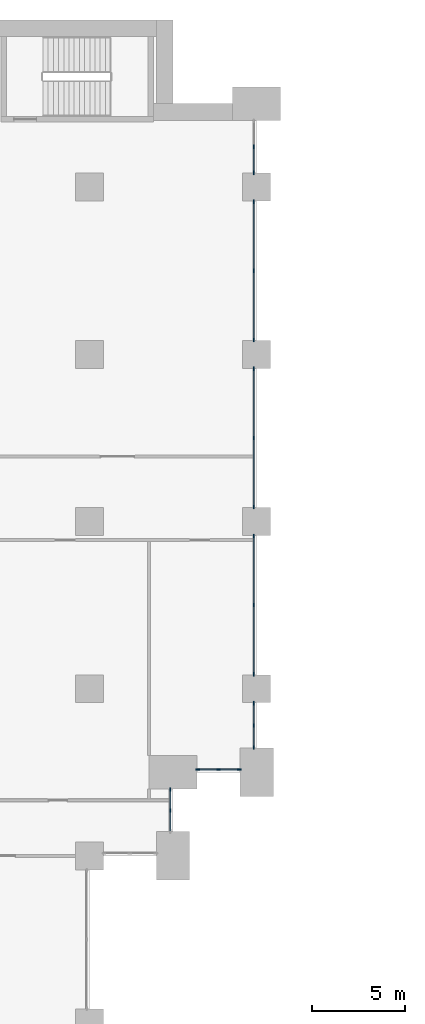
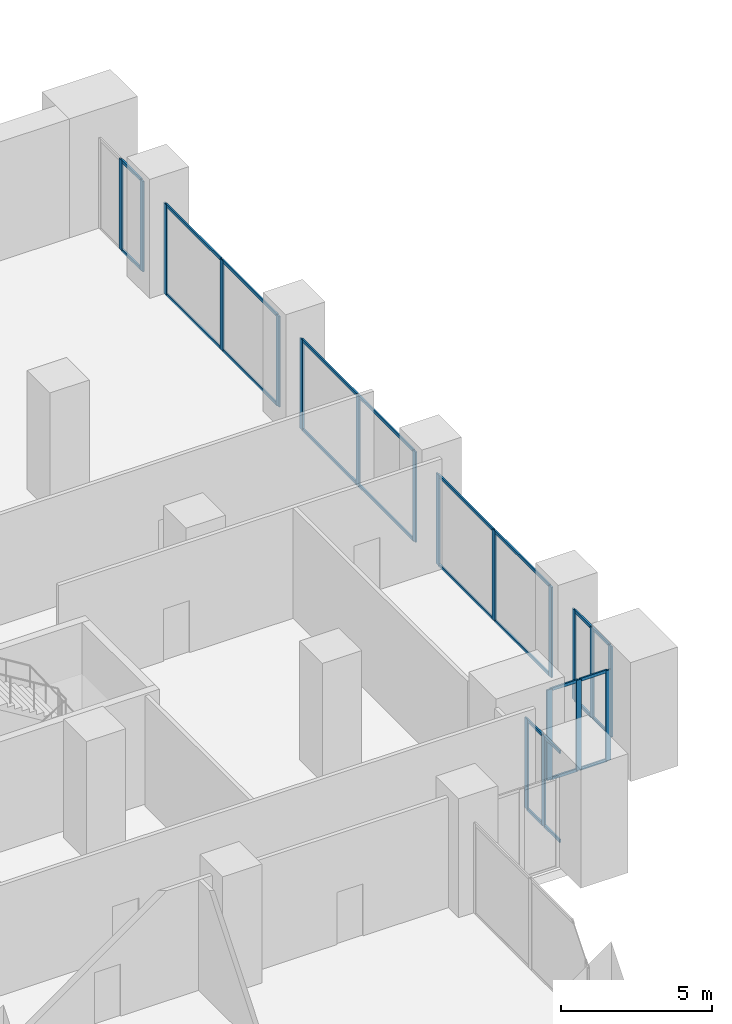
# One storey, part 5 of 49: 45 members, 7 elements without a shape of their own.
"""IFC4 building model written with IfcOpenShell, lengths in metres."""

from ifc_helpers import new_model, si_unit, direction, frame, origin, origin_2d, place, context, subcontext, project, spatial, rectangle, extrude, material, material_profile, profile_set, type_object, element, aggregate, save


model = new_model("IFC4")

# Units and contexts
model_context = context("Model", 3, precision=1e-05, world=origin(), true_north=direction((0.0, 1.0)))
body_context = subcontext(model_context, "Body", "Model", "MODEL_VIEW")
ifc_project = project(units=[si_unit("LENGTHUNIT", "METRE"), si_unit("AREAUNIT", "SQUARE_METRE"), si_unit("VOLUMEUNIT", "CUBIC_METRE"), si_unit("PLANEANGLEUNIT", "RADIAN"), si_unit("MASSUNIT", "GRAM", prefix="KILO")], contexts=[model_context])

# Site, building, storey
site_placement = place(None, origin())
site = spatial("IfcSite", under=ifc_project, at=site_placement, CompositionType="ELEMENT")
building_placement = place(site_placement, origin())
building = spatial("IfcBuilding", under=site, at=building_placement, Name="Hunhe Ridgeline Campus", CompositionType="ELEMENT")
storey_placement = place(building_placement, frame((0.0, 0.0, 21.60009765625)))
storey = spatial("IfcBuildingStorey", under=building, at=storey_placement, Name="L04", CompositionType="ELEMENT", Elevation=21.60009765625)

# Curtain wall, members
ifc_material_1 = material(Name="Aluminium and glass", Category="aluminium")
curtain_wall_type = type_object("IfcCurtainWallType", Name="Podium curtain wall CW-2", PredefinedType="NOTDEFINED", material=ifc_material_1)
curtain_wall_1_placement = place(storey_placement, origin())
curtain_wall_1 = element("IfcCurtainWall", 1, at=curtain_wall_1_placement, inside=storey, type_object=curtain_wall_type, Name="L04 podium curtain wall 2", PredefinedType="NOTDEFINED")
ifc_material_2 = material(Name="Aluminium", Category="aluminium")
ifc_material_profile_1 = material_profile(ifc_material_2, rectangle(XDim=0.06005859375, YDim=0.199951171875, at=origin_2d()))
ifc_profile_set_1 = profile_set([ifc_material_profile_1], Name="Aluminium")
member_type_1 = type_object("IfcMemberType", Name="CW-2 mullion 60x200", PredefinedType="MULLION", material=ifc_profile_set_1)
member_1_placement = place(storey_placement, frame((94.35009765625, 56.449951171875, 0.0), z_axis=(0.0, 0.0, 1.0), x_axis=(-1.0, 0.0, 0.0)))
member_1 = element("IfcMember", 2, at=member_1_placement, type_object=member_type_1, Name="CW2 mullion 2", PredefinedType="MULLION", context=body_context, shape_type="SweptSolid", body=[
    extrude(rectangle(XDim=0.06005859375, YDim=0.199951171875, at=origin_2d()), origin(), (0.0, 0.0, 1.0), 3.64990234375),
])
member_2_placement = place(storey_placement, frame((94.35009765625, 57.570068359375, 0.0), z_axis=(0.0, 0.0, 1.0), x_axis=(-1.0, 0.0, 0.0)))
member_2 = element("IfcMember", 3, at=member_2_placement, type_object=member_type_1, Name="CW2 mullion 3", PredefinedType="MULLION", context=body_context, shape_type="SweptSolid", body=[
    extrude(rectangle(XDim=0.06005859375, YDim=0.199951171875, at=origin_2d()), origin(), (0.0, 0.0, 1.0), 3.64990234375),
])

curtain_wall_2_placement = place(storey_placement, origin())
curtain_wall_2 = element("IfcCurtainWall", 4, at=curtain_wall_2_placement, inside=storey, type_object=curtain_wall_type, Name="L04 podium curtain wall 3", PredefinedType="NOTDEFINED")
member_3_placement = place(storey_placement, frame((95.830078125, 58.64990234375, 0.0), z_axis=(0.0, 0.0, 1.0), x_axis=(0.0, 1.0, 0.0)))
member_3 = element("IfcMember", 5, at=member_3_placement, type_object=member_type_1, Name="CW2 mullion 1", PredefinedType="MULLION", context=body_context, shape_type="SweptSolid", body=[
    extrude(rectangle(XDim=0.06005859375, YDim=0.199951171875, at=origin_2d()), origin(), (0.0, 0.0, 1.0), 3.64990234375),
])
member_4_placement = place(storey_placement, frame((96.949951171875, 58.64990234375, 0.0), z_axis=(0.0, 0.0, 1.0), x_axis=(0.0, 1.0, 0.0)))
member_4 = element("IfcMember", 6, at=member_4_placement, type_object=member_type_1, Name="CW2 mullion 2", PredefinedType="MULLION", context=body_context, shape_type="SweptSolid", body=[
    extrude(rectangle(XDim=0.06005859375, YDim=0.199951171875, at=origin_2d()), origin(), (0.0, 0.0, 1.0), 3.64990234375),
])
member_5_placement = place(storey_placement, frame((98.070068359375, 58.64990234375, 0.0), z_axis=(0.0, 0.0, 1.0), x_axis=(0.0, 1.0, 0.0)))
member_5 = element("IfcMember", 7, at=member_5_placement, type_object=member_type_1, Name="CW2 mullion 3", PredefinedType="MULLION", context=body_context, shape_type="SweptSolid", body=[
    extrude(rectangle(XDim=0.06005859375, YDim=0.199951171875, at=origin_2d()), origin(), (0.0, 0.0, 1.0), 3.64990234375),
])

curtain_wall_3_placement = place(storey_placement, origin())
curtain_wall_3 = element("IfcCurtainWall", 8, at=curtain_wall_3_placement, inside=storey, type_object=curtain_wall_type, Name="L04 podium curtain wall 4", PredefinedType="NOTDEFINED")
member_6_placement = place(storey_placement, frame((98.85009765625, 59.830078125, 0.0), z_axis=(0.0, 0.0, 1.0), x_axis=(-1.0, 0.0, 0.0)))
member_6 = element("IfcMember", 9, at=member_6_placement, type_object=member_type_1, Name="CW2 mullion 1", PredefinedType="MULLION", context=body_context, shape_type="SweptSolid", body=[
    extrude(rectangle(XDim=0.06005859375, YDim=0.199951171875, at=origin_2d()), origin(), (0.0, 0.0, 1.0), 3.64990234375),
])
member_7_placement = place(storey_placement, frame((98.85009765625, 61.02490234375, 0.0), z_axis=(0.0, 0.0, 1.0), x_axis=(-1.0, 0.0, 0.0)))
member_7 = element("IfcMember", 10, at=member_7_placement, type_object=member_type_1, Name="CW2 mullion 2", PredefinedType="MULLION", context=body_context, shape_type="SweptSolid", body=[
    extrude(rectangle(XDim=0.06005859375, YDim=0.199951171875, at=origin_2d()), origin(), (0.0, 0.0, 1.0), 3.64990234375),
])
member_8_placement = place(storey_placement, frame((98.85009765625, 62.219970703125, 0.0), z_axis=(0.0, 0.0, 1.0), x_axis=(-1.0, 0.0, 0.0)))
member_8 = element("IfcMember", 11, at=member_8_placement, type_object=member_type_1, Name="CW2 mullion 3", PredefinedType="MULLION", context=body_context, shape_type="SweptSolid", body=[
    extrude(rectangle(XDim=0.06005859375, YDim=0.199951171875, at=origin_2d()), origin(), (0.0, 0.0, 1.0), 3.64990234375),
])

curtain_wall_4_placement = place(storey_placement, origin())
curtain_wall_4 = element("IfcCurtainWall", 12, at=curtain_wall_4_placement, inside=storey, type_object=curtain_wall_type, Name="L04 podium curtain wall 5", PredefinedType="NOTDEFINED")
member_9_placement = place(storey_placement, frame((98.85009765625, 63.780029296875, 0.0), z_axis=(0.0, 0.0, 1.0), x_axis=(-1.0, 0.0, 0.0)))
member_9 = element("IfcMember", 13, at=member_9_placement, type_object=member_type_1, Name="CW2 mullion 1", PredefinedType="MULLION", context=body_context, shape_type="SweptSolid", body=[
    extrude(rectangle(XDim=0.06005859375, YDim=0.199951171875, at=origin_2d()), origin(), (0.0, 0.0, 1.0), 3.64990234375),
])
member_10_placement = place(storey_placement, frame((98.85009765625, 67.5, 0.0), z_axis=(0.0, 0.0, 1.0), x_axis=(-1.0, 0.0, 0.0)))
member_10 = element("IfcMember", 14, at=member_10_placement, type_object=member_type_1, Name="CW2 mullion 2", PredefinedType="MULLION", context=body_context, shape_type="SweptSolid", body=[
    extrude(rectangle(XDim=0.06005859375, YDim=0.199951171875, at=origin_2d()), origin(), (0.0, 0.0, 1.0), 3.64990234375),
])
member_11_placement = place(storey_placement, frame((98.85009765625, 71.219970703125, 0.0), z_axis=(0.0, 0.0, 1.0), x_axis=(-1.0, 0.0, 0.0)))
member_11 = element("IfcMember", 15, at=member_11_placement, type_object=member_type_1, Name="CW2 mullion 3", PredefinedType="MULLION", context=body_context, shape_type="SweptSolid", body=[
    extrude(rectangle(XDim=0.06005859375, YDim=0.199951171875, at=origin_2d()), origin(), (0.0, 0.0, 1.0), 3.64990234375),
])

curtain_wall_5_placement = place(storey_placement, origin())
curtain_wall_5 = element("IfcCurtainWall", 16, at=curtain_wall_5_placement, inside=storey, type_object=curtain_wall_type, Name="L04 podium curtain wall 6", PredefinedType="NOTDEFINED")
member_12_placement = place(storey_placement, frame((98.85009765625, 72.780029296875, 0.0), z_axis=(0.0, 0.0, 1.0), x_axis=(-1.0, 0.0, 0.0)))
member_12 = element("IfcMember", 17, at=member_12_placement, type_object=member_type_1, Name="CW2 mullion 1", PredefinedType="MULLION", context=body_context, shape_type="SweptSolid", body=[
    extrude(rectangle(XDim=0.06005859375, YDim=0.199951171875, at=origin_2d()), origin(), (0.0, 0.0, 1.0), 3.64990234375),
])
member_13_placement = place(storey_placement, frame((98.85009765625, 76.5, 0.0), z_axis=(0.0, 0.0, 1.0), x_axis=(-1.0, 0.0, 0.0)))
member_13 = element("IfcMember", 18, at=member_13_placement, type_object=member_type_1, Name="CW2 mullion 2", PredefinedType="MULLION", context=body_context, shape_type="SweptSolid", body=[
    extrude(rectangle(XDim=0.06005859375, YDim=0.199951171875, at=origin_2d()), origin(), (0.0, 0.0, 1.0), 3.64990234375),
])
member_14_placement = place(storey_placement, frame((98.85009765625, 80.219970703125, 0.0), z_axis=(0.0, 0.0, 1.0), x_axis=(-1.0, 0.0, 0.0)))
member_14 = element("IfcMember", 19, at=member_14_placement, type_object=member_type_1, Name="CW2 mullion 3", PredefinedType="MULLION", context=body_context, shape_type="SweptSolid", body=[
    extrude(rectangle(XDim=0.06005859375, YDim=0.199951171875, at=origin_2d()), origin(), (0.0, 0.0, 1.0), 3.64990234375),
])

curtain_wall_6_placement = place(storey_placement, origin())
curtain_wall_6 = element("IfcCurtainWall", 20, at=curtain_wall_6_placement, inside=storey, type_object=curtain_wall_type, Name="L04 podium curtain wall 7", PredefinedType="NOTDEFINED")
member_15_placement = place(storey_placement, frame((98.85009765625, 81.780029296875, 0.0), z_axis=(0.0, 0.0, 1.0), x_axis=(-1.0, 0.0, 0.0)))
member_15 = element("IfcMember", 21, at=member_15_placement, type_object=member_type_1, Name="CW2 mullion 1", PredefinedType="MULLION", context=body_context, shape_type="SweptSolid", body=[
    extrude(rectangle(XDim=0.06005859375, YDim=0.199951171875, at=origin_2d()), origin(), (0.0, 0.0, 1.0), 3.64990234375),
])
member_16_placement = place(storey_placement, frame((98.85009765625, 85.5, 0.0), z_axis=(0.0, 0.0, 1.0), x_axis=(-1.0, 0.0, 0.0)))
member_16 = element("IfcMember", 22, at=member_16_placement, type_object=member_type_1, Name="CW2 mullion 2", PredefinedType="MULLION", context=body_context, shape_type="SweptSolid", body=[
    extrude(rectangle(XDim=0.06005859375, YDim=0.199951171875, at=origin_2d()), origin(), (0.0, 0.0, 1.0), 3.64990234375),
])
member_17_placement = place(storey_placement, frame((98.85009765625, 89.219970703125, 0.0), z_axis=(0.0, 0.0, 1.0), x_axis=(-1.0, 0.0, 0.0)))
member_17 = element("IfcMember", 23, at=member_17_placement, type_object=member_type_1, Name="CW2 mullion 3", PredefinedType="MULLION", context=body_context, shape_type="SweptSolid", body=[
    extrude(rectangle(XDim=0.06005859375, YDim=0.199951171875, at=origin_2d()), origin(), (0.0, 0.0, 1.0), 3.64990234375),
])

curtain_wall_7_placement = place(storey_placement, origin())
curtain_wall_7 = element("IfcCurtainWall", 24, at=curtain_wall_7_placement, inside=storey, type_object=curtain_wall_type, Name="L04 podium curtain wall 8", PredefinedType="NOTDEFINED")
member_18_placement = place(storey_placement, frame((98.85009765625, 90.780029296875, 0.0), z_axis=(0.0, 0.0, 1.0), x_axis=(-1.0, 0.0, 0.0)))
member_18 = element("IfcMember", 25, at=member_18_placement, type_object=member_type_1, Name="CW2 mullion 1", PredefinedType="MULLION", context=body_context, shape_type="SweptSolid", body=[
    extrude(rectangle(XDim=0.06005859375, YDim=0.199951171875, at=origin_2d()), origin(), (0.0, 0.0, 1.0), 3.64990234375),
])
member_19_placement = place(storey_placement, frame((98.85009765625, 92.175048828125, 0.0), z_axis=(0.0, 0.0, 1.0), x_axis=(-1.0, 0.0, 0.0)))
member_19 = element("IfcMember", 26, at=member_19_placement, type_object=member_type_1, Name="CW2 mullion 2", PredefinedType="MULLION", context=body_context, shape_type="SweptSolid", body=[
    extrude(rectangle(XDim=0.06005859375, YDim=0.199951171875, at=origin_2d()), origin(), (0.0, 0.0, 1.0), 3.64990234375),
])

# Member
ifc_material_profile_2 = material_profile(ifc_material_2, rectangle(XDim=0.06005859375, YDim=0.1201171875, at=origin_2d()))
ifc_profile_set_2 = profile_set([ifc_material_profile_2], Name="Aluminium")
member_type_2 = type_object("IfcMemberType", Name="CW-2 transom 60x120", PredefinedType="USERDEFINED", material=ifc_profile_set_2)
member_20_placement = place(storey_placement, frame((94.35009765625, 55.360107421875, 0.02978515625), z_axis=(0.0, 1.0, 0.0), x_axis=(-1.0, 0.0, 0.0)))
member_20 = element("IfcMember", 27, at=member_20_placement, type_object=member_type_2, Name="CW2 transom 1.1", ObjectType="TRANSOM", PredefinedType="USERDEFINED", context=body_context, shape_type="SweptSolid", body=[
    extrude(rectangle(XDim=0.06005859375, YDim=0.1201171875, at=origin_2d()), origin(), (0.0, 0.0, 1.0), 1.059814453125),
])

member_21_placement = place(storey_placement, frame((94.35009765625, 55.360107421875, 3.619873046875), z_axis=(0.0, 1.0, 0.0), x_axis=(-1.0, 0.0, 0.0)))
member_21 = element("IfcMember", 28, at=member_21_placement, type_object=member_type_2, Name="CW2 transom 1.2", ObjectType="TRANSOM", PredefinedType="USERDEFINED", context=body_context, shape_type="SweptSolid", body=[
    extrude(rectangle(XDim=0.06005859375, YDim=0.1201171875, at=origin_2d()), origin(), (0.0, 0.0, 1.0), 1.059814453125),
])

member_22_placement = place(storey_placement, frame((94.35009765625, 56.47998046875, 0.02978515625), z_axis=(0.0, 1.0, 0.0), x_axis=(-1.0, 0.0, 0.0)))
member_22 = element("IfcMember", 29, at=member_22_placement, type_object=member_type_2, Name="CW2 transom 2.1", ObjectType="TRANSOM", PredefinedType="USERDEFINED", context=body_context, shape_type="SweptSolid", body=[
    extrude(rectangle(XDim=0.06005859375, YDim=0.1201171875, at=origin_2d()), origin(), (0.0, 0.0, 1.0), 1.06005859375),
])

member_23_placement = place(storey_placement, frame((94.35009765625, 56.47998046875, 3.619873046875), z_axis=(0.0, 1.0, 0.0), x_axis=(-1.0, 0.0, 0.0)))
member_23 = element("IfcMember", 30, at=member_23_placement, type_object=member_type_2, Name="CW2 transom 2.2", ObjectType="TRANSOM", PredefinedType="USERDEFINED", context=body_context, shape_type="SweptSolid", body=[
    extrude(rectangle(XDim=0.06005859375, YDim=0.1201171875, at=origin_2d()), origin(), (0.0, 0.0, 1.0), 1.06005859375),
])

aggregate(curtain_wall_1, [member_1, member_2, member_20, member_21, member_22, member_23])

member_24_placement = place(storey_placement, frame((95.860107421875, 58.64990234375, 0.02978515625), z_axis=(1.0, 0.0, 0.0), x_axis=(0.0, 1.0, 0.0)))
member_24 = element("IfcMember", 31, at=member_24_placement, type_object=member_type_2, Name="CW2 transom 1.1", ObjectType="TRANSOM", PredefinedType="USERDEFINED", context=body_context, shape_type="SweptSolid", body=[
    extrude(rectangle(XDim=0.06005859375, YDim=0.1201171875, at=origin_2d()), origin(), (0.0, 0.0, 1.0), 1.059814453125),
])

member_25_placement = place(storey_placement, frame((95.860107421875, 58.64990234375, 3.619873046875), z_axis=(1.0, 0.0, 0.0), x_axis=(0.0, 1.0, 0.0)))
member_25 = element("IfcMember", 32, at=member_25_placement, type_object=member_type_2, Name="CW2 transom 1.2", ObjectType="TRANSOM", PredefinedType="USERDEFINED", context=body_context, shape_type="SweptSolid", body=[
    extrude(rectangle(XDim=0.06005859375, YDim=0.1201171875, at=origin_2d()), origin(), (0.0, 0.0, 1.0), 1.059814453125),
])

member_26_placement = place(storey_placement, frame((96.97998046875, 58.64990234375, 0.02978515625), z_axis=(1.0, 0.0, 0.0), x_axis=(0.0, 1.0, 0.0)))
member_26 = element("IfcMember", 33, at=member_26_placement, type_object=member_type_2, Name="CW2 transom 2.1", ObjectType="TRANSOM", PredefinedType="USERDEFINED", context=body_context, shape_type="SweptSolid", body=[
    extrude(rectangle(XDim=0.06005859375, YDim=0.1201171875, at=origin_2d()), origin(), (0.0, 0.0, 1.0), 1.06005859375),
])

member_27_placement = place(storey_placement, frame((96.97998046875, 58.64990234375, 3.619873046875), z_axis=(1.0, 0.0, 0.0), x_axis=(0.0, 1.0, 0.0)))
member_27 = element("IfcMember", 34, at=member_27_placement, type_object=member_type_2, Name="CW2 transom 2.2", ObjectType="TRANSOM", PredefinedType="USERDEFINED", context=body_context, shape_type="SweptSolid", body=[
    extrude(rectangle(XDim=0.06005859375, YDim=0.1201171875, at=origin_2d()), origin(), (0.0, 0.0, 1.0), 1.06005859375),
])

aggregate(curtain_wall_2, [member_3, member_4, member_5, member_24, member_25, member_26, member_27])

member_28_placement = place(storey_placement, frame((98.85009765625, 59.860107421875, 0.02978515625), z_axis=(0.0, 1.0, 0.0), x_axis=(-1.0, 0.0, 0.0)))
member_28 = element("IfcMember", 35, at=member_28_placement, type_object=member_type_2, Name="CW2 transom 1.1", ObjectType="TRANSOM", PredefinedType="USERDEFINED", context=body_context, shape_type="SweptSolid", body=[
    extrude(rectangle(XDim=0.06005859375, YDim=0.1201171875, at=origin_2d()), origin(), (0.0, 0.0, 1.0), 1.135009765625),
])

member_29_placement = place(storey_placement, frame((98.85009765625, 59.860107421875, 3.619873046875), z_axis=(0.0, 1.0, 0.0), x_axis=(-1.0, 0.0, 0.0)))
member_29 = element("IfcMember", 36, at=member_29_placement, type_object=member_type_2, Name="CW2 transom 1.2", ObjectType="TRANSOM", PredefinedType="USERDEFINED", context=body_context, shape_type="SweptSolid", body=[
    extrude(rectangle(XDim=0.06005859375, YDim=0.1201171875, at=origin_2d()), origin(), (0.0, 0.0, 1.0), 1.135009765625),
])

member_30_placement = place(storey_placement, frame((98.85009765625, 61.054931640625, 0.02978515625), z_axis=(0.0, 1.0, 0.0), x_axis=(-1.0, 0.0, 0.0)))
member_30 = element("IfcMember", 37, at=member_30_placement, type_object=member_type_2, Name="CW2 transom 2.1", ObjectType="TRANSOM", PredefinedType="USERDEFINED", context=body_context, shape_type="SweptSolid", body=[
    extrude(rectangle(XDim=0.06005859375, YDim=0.1201171875, at=origin_2d()), origin(), (0.0, 0.0, 1.0), 1.135009765625),
])

member_31_placement = place(storey_placement, frame((98.85009765625, 61.054931640625, 3.619873046875), z_axis=(0.0, 1.0, 0.0), x_axis=(-1.0, 0.0, 0.0)))
member_31 = element("IfcMember", 38, at=member_31_placement, type_object=member_type_2, Name="CW2 transom 2.2", ObjectType="TRANSOM", PredefinedType="USERDEFINED", context=body_context, shape_type="SweptSolid", body=[
    extrude(rectangle(XDim=0.06005859375, YDim=0.1201171875, at=origin_2d()), origin(), (0.0, 0.0, 1.0), 1.135009765625),
])

aggregate(curtain_wall_3, [member_6, member_7, member_8, member_28, member_29, member_30, member_31])

member_32_placement = place(storey_placement, frame((98.85009765625, 63.81005859375, 0.02978515625), z_axis=(0.0, 1.0, 0.0), x_axis=(-1.0, 0.0, 0.0)))
member_32 = element("IfcMember", 39, at=member_32_placement, type_object=member_type_2, Name="CW2 transom 1.1", ObjectType="TRANSOM", PredefinedType="USERDEFINED", context=body_context, shape_type="SweptSolid", body=[
    extrude(rectangle(XDim=0.06005859375, YDim=0.1201171875, at=origin_2d()), origin(), (0.0, 0.0, 1.0), 3.659912109375),
])

member_33_placement = place(storey_placement, frame((98.85009765625, 63.81005859375, 3.619873046875), z_axis=(0.0, 1.0, 0.0), x_axis=(-1.0, 0.0, 0.0)))
member_33 = element("IfcMember", 40, at=member_33_placement, type_object=member_type_2, Name="CW2 transom 1.2", ObjectType="TRANSOM", PredefinedType="USERDEFINED", context=body_context, shape_type="SweptSolid", body=[
    extrude(rectangle(XDim=0.06005859375, YDim=0.1201171875, at=origin_2d()), origin(), (0.0, 0.0, 1.0), 3.659912109375),
])

member_34_placement = place(storey_placement, frame((98.85009765625, 67.530029296875, 0.02978515625), z_axis=(0.0, 1.0, 0.0), x_axis=(-1.0, 0.0, 0.0)))
member_34 = element("IfcMember", 41, at=member_34_placement, type_object=member_type_2, Name="CW2 transom 2.1", ObjectType="TRANSOM", PredefinedType="USERDEFINED", context=body_context, shape_type="SweptSolid", body=[
    extrude(rectangle(XDim=0.06005859375, YDim=0.1201171875, at=origin_2d()), origin(), (0.0, 0.0, 1.0), 3.659912109375),
])

member_35_placement = place(storey_placement, frame((98.85009765625, 67.530029296875, 3.619873046875), z_axis=(0.0, 1.0, 0.0), x_axis=(-1.0, 0.0, 0.0)))
member_35 = element("IfcMember", 42, at=member_35_placement, type_object=member_type_2, Name="CW2 transom 2.2", ObjectType="TRANSOM", PredefinedType="USERDEFINED", context=body_context, shape_type="SweptSolid", body=[
    extrude(rectangle(XDim=0.06005859375, YDim=0.1201171875, at=origin_2d()), origin(), (0.0, 0.0, 1.0), 3.659912109375),
])

aggregate(curtain_wall_4, [member_9, member_10, member_11, member_32, member_33, member_34, member_35])

member_36_placement = place(storey_placement, frame((98.85009765625, 72.81005859375, 0.02978515625), z_axis=(0.0, 1.0, 0.0), x_axis=(-1.0, 0.0, 0.0)))
member_36 = element("IfcMember", 43, at=member_36_placement, type_object=member_type_2, Name="CW2 transom 1.1", ObjectType="TRANSOM", PredefinedType="USERDEFINED", context=body_context, shape_type="SweptSolid", body=[
    extrude(rectangle(XDim=0.06005859375, YDim=0.1201171875, at=origin_2d()), origin(), (0.0, 0.0, 1.0), 3.659912109375),
])

member_37_placement = place(storey_placement, frame((98.85009765625, 72.81005859375, 3.619873046875), z_axis=(0.0, 1.0, 0.0), x_axis=(-1.0, 0.0, 0.0)))
member_37 = element("IfcMember", 44, at=member_37_placement, type_object=member_type_2, Name="CW2 transom 1.2", ObjectType="TRANSOM", PredefinedType="USERDEFINED", context=body_context, shape_type="SweptSolid", body=[
    extrude(rectangle(XDim=0.06005859375, YDim=0.1201171875, at=origin_2d()), origin(), (0.0, 0.0, 1.0), 3.659912109375),
])

member_38_placement = place(storey_placement, frame((98.85009765625, 76.530029296875, 0.02978515625), z_axis=(0.0, 1.0, 0.0), x_axis=(-1.0, 0.0, 0.0)))
member_38 = element("IfcMember", 45, at=member_38_placement, type_object=member_type_2, Name="CW2 transom 2.1", ObjectType="TRANSOM", PredefinedType="USERDEFINED", context=body_context, shape_type="SweptSolid", body=[
    extrude(rectangle(XDim=0.06005859375, YDim=0.1201171875, at=origin_2d()), origin(), (0.0, 0.0, 1.0), 3.659912109375),
])

member_39_placement = place(storey_placement, frame((98.85009765625, 76.530029296875, 3.619873046875), z_axis=(0.0, 1.0, 0.0), x_axis=(-1.0, 0.0, 0.0)))
member_39 = element("IfcMember", 46, at=member_39_placement, type_object=member_type_2, Name="CW2 transom 2.2", ObjectType="TRANSOM", PredefinedType="USERDEFINED", context=body_context, shape_type="SweptSolid", body=[
    extrude(rectangle(XDim=0.06005859375, YDim=0.1201171875, at=origin_2d()), origin(), (0.0, 0.0, 1.0), 3.659912109375),
])

aggregate(curtain_wall_5, [member_12, member_13, member_14, member_36, member_37, member_38, member_39])

member_40_placement = place(storey_placement, frame((98.85009765625, 81.81005859375, 0.02978515625), z_axis=(0.0, 1.0, 0.0), x_axis=(-1.0, 0.0, 0.0)))
member_40 = element("IfcMember", 47, at=member_40_placement, type_object=member_type_2, Name="CW2 transom 1.1", ObjectType="TRANSOM", PredefinedType="USERDEFINED", context=body_context, shape_type="SweptSolid", body=[
    extrude(rectangle(XDim=0.06005859375, YDim=0.1201171875, at=origin_2d()), origin(), (0.0, 0.0, 1.0), 3.659912109375),
])

member_41_placement = place(storey_placement, frame((98.85009765625, 81.81005859375, 3.619873046875), z_axis=(0.0, 1.0, 0.0), x_axis=(-1.0, 0.0, 0.0)))
member_41 = element("IfcMember", 48, at=member_41_placement, type_object=member_type_2, Name="CW2 transom 1.2", ObjectType="TRANSOM", PredefinedType="USERDEFINED", context=body_context, shape_type="SweptSolid", body=[
    extrude(rectangle(XDim=0.06005859375, YDim=0.1201171875, at=origin_2d()), origin(), (0.0, 0.0, 1.0), 3.659912109375),
])

member_42_placement = place(storey_placement, frame((98.85009765625, 85.530029296875, 0.02978515625), z_axis=(0.0, 1.0, 0.0), x_axis=(-1.0, 0.0, 0.0)))
member_42 = element("IfcMember", 49, at=member_42_placement, type_object=member_type_2, Name="CW2 transom 2.1", ObjectType="TRANSOM", PredefinedType="USERDEFINED", context=body_context, shape_type="SweptSolid", body=[
    extrude(rectangle(XDim=0.06005859375, YDim=0.1201171875, at=origin_2d()), origin(), (0.0, 0.0, 1.0), 3.659912109375),
])

member_43_placement = place(storey_placement, frame((98.85009765625, 85.530029296875, 3.619873046875), z_axis=(0.0, 1.0, 0.0), x_axis=(-1.0, 0.0, 0.0)))
member_43 = element("IfcMember", 50, at=member_43_placement, type_object=member_type_2, Name="CW2 transom 2.2", ObjectType="TRANSOM", PredefinedType="USERDEFINED", context=body_context, shape_type="SweptSolid", body=[
    extrude(rectangle(XDim=0.06005859375, YDim=0.1201171875, at=origin_2d()), origin(), (0.0, 0.0, 1.0), 3.659912109375),
])

aggregate(curtain_wall_6, [member_15, member_16, member_17, member_40, member_41, member_42, member_43])

member_44_placement = place(storey_placement, frame((98.85009765625, 90.81005859375, 0.02978515625), z_axis=(0.0, 1.0, 0.0), x_axis=(-1.0, 0.0, 0.0)))
member_44 = element("IfcMember", 51, at=member_44_placement, type_object=member_type_2, Name="CW2 transom 1.1", ObjectType="TRANSOM", PredefinedType="USERDEFINED", context=body_context, shape_type="SweptSolid", body=[
    extrude(rectangle(XDim=0.06005859375, YDim=0.1201171875, at=origin_2d()), origin(), (0.0, 0.0, 1.0), 1.3349609375),
])

member_45_placement = place(storey_placement, frame((98.85009765625, 90.81005859375, 3.619873046875), z_axis=(0.0, 1.0, 0.0), x_axis=(-1.0, 0.0, 0.0)))
member_45 = element("IfcMember", 52, at=member_45_placement, type_object=member_type_2, Name="CW2 transom 1.2", ObjectType="TRANSOM", PredefinedType="USERDEFINED", context=body_context, shape_type="SweptSolid", body=[
    extrude(rectangle(XDim=0.06005859375, YDim=0.1201171875, at=origin_2d()), origin(), (0.0, 0.0, 1.0), 1.3349609375),
])

aggregate(curtain_wall_7, [member_18, member_19, member_44, member_45])

save(model, "model.ifc")
